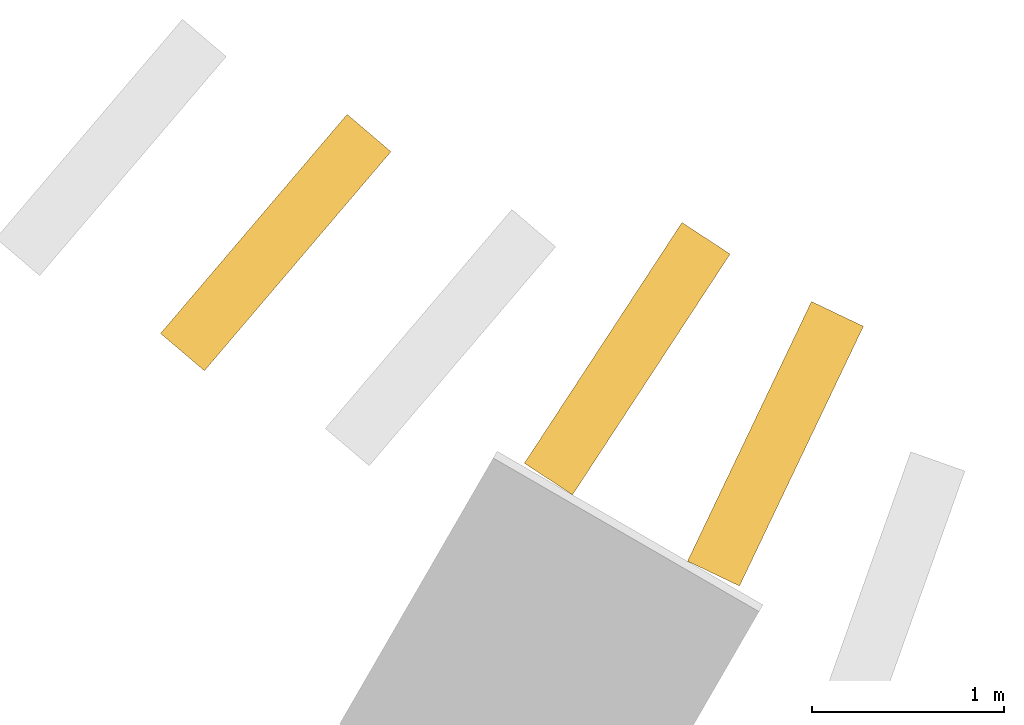
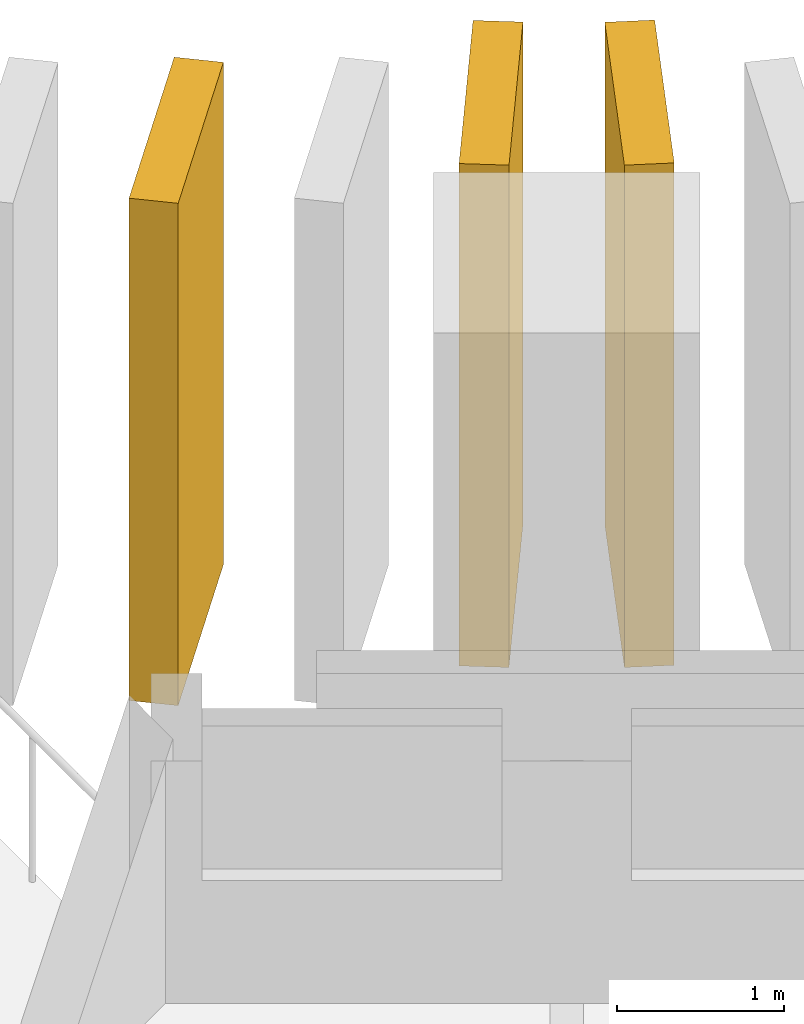
# One storey, part 10 of 10: 3 shading devices.
"""IFC4 building model written with IfcOpenShell, lengths in metres."""

from ifc_helpers import new_model, si_unit, direction, frame, frame_2d, origin, place, context, subcontext, project, spatial, rectangle, extrude, material, layer, layer_set, type_object, element, save


model = new_model("IFC4")

# Units and contexts
model_context = context("Model", 3, precision=1e-05, world=origin(), true_north=direction((0.0, 1.0)))
body_context = subcontext(model_context, "Body", "Model", "MODEL_VIEW")
ifc_project = project(units=[si_unit("LENGTHUNIT", "METRE"), si_unit("AREAUNIT", "SQUARE_METRE"), si_unit("VOLUMEUNIT", "CUBIC_METRE"), si_unit("PLANEANGLEUNIT", "RADIAN"), si_unit("MASSUNIT", "GRAM", prefix="KILO")], contexts=[model_context])

# Site, building, storey
site_placement = place(None, origin())
site = spatial("IfcSite", under=ifc_project, at=site_placement, CompositionType="ELEMENT")
building_placement = place(site_placement, origin())
building = spatial("IfcBuilding", under=site, at=building_placement, Name="Jabali Bay Hotel Tower and Convention Centre", CompositionType="ELEMENT")
storey_placement = place(building_placement, frame((0.0, 0.0, 255.300048828125)))
storey = spatial("IfcBuildingStorey", under=building, at=storey_placement, Name="L62", CompositionType="ELEMENT", Elevation=255.300048828125)

# Shading devices
ifc_material = material(Name="Precast concrete C60", Category="concrete")
ifc_layer = layer(ifc_material, 0.300048828125)
ifc_layer_set = layer_set([ifc_layer], Name="Precast concrete C60")
shading_device_type = type_object("IfcShadingDeviceType", Name="Precast fin 3680 x 1500", PredefinedType="USERDEFINED", material=ifc_layer_set)
for number, where, z_axis, x_axis, name in (
    (1, (91.902099609375, 108.28369140625, 0.010009765625), (0.0, 0.0, 1.0), (0.430666315736, 0.902511232335, 0.0), "Fin L62 026"),
    (2, (91.041748046875, 108.776611328125, 0.010009765625), (0.0, 0.0, 1.0), (0.547657103111, 0.836702872836, 0.0), "Fin L62 027"),
    (3, (89.13427734375, 109.438232421875, 0.010009765625), (0.0, 0.0, 1.0), (0.648281291341, 0.761400924151, 0.0), "Fin L62 029"),
):
    element("IfcShadingDevice", number, at=place(storey_placement, frame(where, z_axis=z_axis, x_axis=x_axis)), inside=storey, type_object=shading_device_type, Name=name, ObjectType="FIN", PredefinedType="USERDEFINED", context=body_context, shape_type="SweptSolid", body=[
        extrude(rectangle(XDim=1.5, YDim=0.300048828125, at=frame_2d((0.75, 0.0))), origin(), (0.0, 0.0, 1.0), 3.679931640625),
    ])

save(model, "model.ifc")
